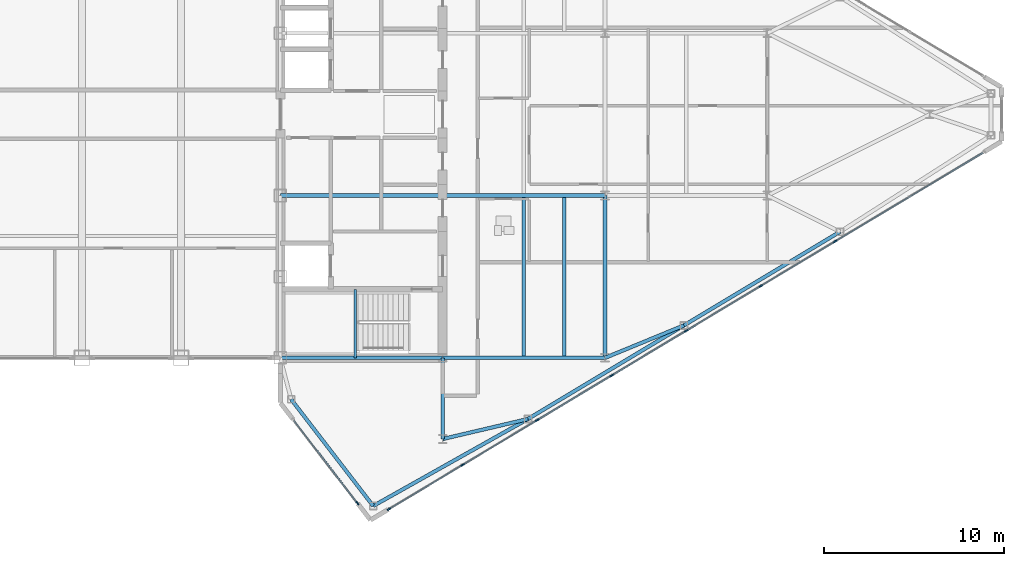
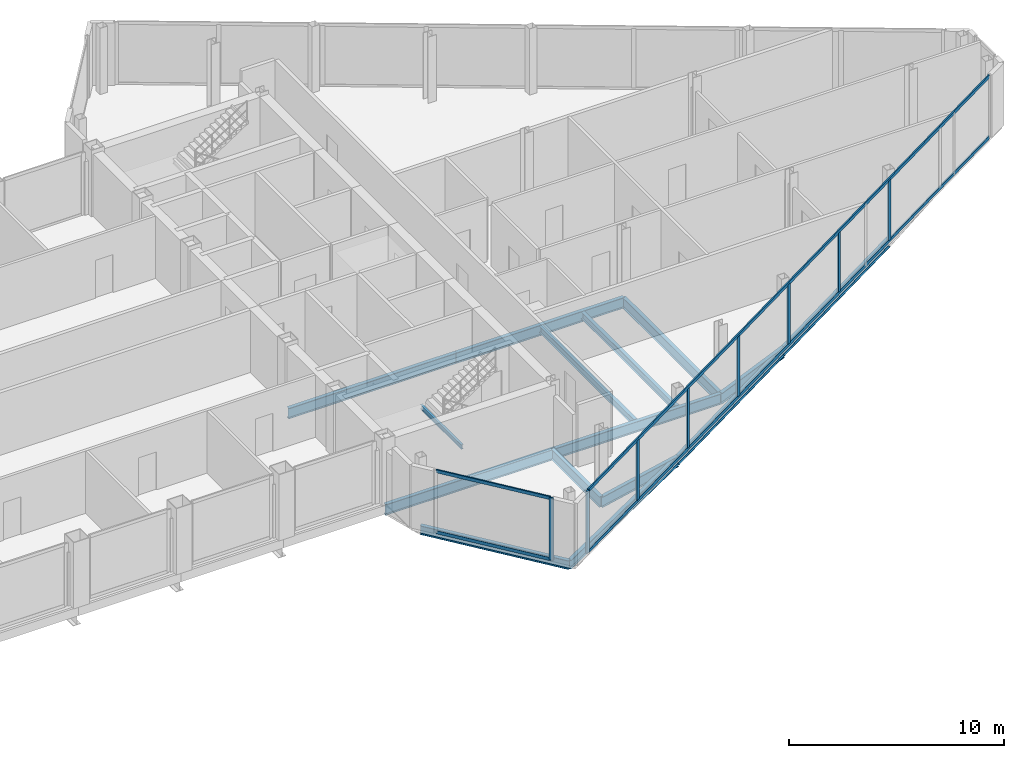
# One storey, part 14 of 29: 15 beams, 12 members, 2 elements without a shape of their own.
"""IFC4 building model written with IfcOpenShell, lengths in metres."""

import ifcopenshell
import ifcopenshell.guid

model = None  # the IFC model being written
_history = None  # IfcOwnerHistory: only IFC2X3 demands one
_inside = {}  # id of a spatial element -> (the spatial element, [elements in it])
_under = {}  # id of a project, library or spatial element -> (it, [spatial elements below it])
_declared = {}  # id of a project -> (the project, [libraries it declares])
_typed = {}  # id of a type object -> (the type object, [elements of that type])
_made_of = {}  # id of a material, layer set ... -> (it, [elements and type objects made of it])


def new_model(schema):
    """Start an empty IFC model of exactly this schema.

    Asked for "IFC4X3", IfcOpenShell would pick the latest addendum, in which some entities
    have other attributes; the version numbers below select the first issue.
    IFC2X3 requires an IfcOwnerHistory on every rooted entity: one is made here for all.
    """
    global model, _history
    if schema == "IFC4X3":
        model = ifcopenshell.file(schema_version=(4, 3, 0, 0))
    else:
        model = ifcopenshell.file(schema=schema)
    _inside.clear()
    _under.clear()
    _declared.clear()
    _typed.clear()
    _made_of.clear()
    _history = None
    if model.schema == "IFC2X3":
        org = make("IfcOrganization", Name="unknown")
        user = make(
            "IfcPersonAndOrganization",
            ThePerson=make("IfcPerson", FamilyName="unknown"),
            TheOrganization=org,
        )
        app = make(
            "IfcApplication",
            ApplicationDeveloper=org,
            Version="unknown",
            ApplicationFullName="unknown",
            ApplicationIdentifier="unknown",
        )
        _history = make(
            "IfcOwnerHistory",
            OwningUser=user,
            OwningApplication=app,
            ChangeAction="ADDED",
            CreationDate=0,
        )
    return model


def make(cls, **values):
    """One entity of the class cls with the attributes given. An attribute that is None is left unset."""
    return model.create_entity(
        cls, **{name: value for name, value in values.items() if value is not None}
    )


def rooted(cls, **values):
    """An entity with a GlobalId (a new one), such as an element, a storey or a relation."""
    return make(cls, GlobalId=ifcopenshell.guid.new(), OwnerHistory=_history, **values)


def si_unit(unit_type, name, prefix=None):
    """IfcSIUnit, for example si_unit("LENGTHUNIT", "METRE", prefix="MILLI")."""
    return make("IfcSIUnit", UnitType=unit_type, Prefix=prefix, Name=name)


def assignment(units):
    """IfcUnitAssignment: the units of a project."""
    return None if units is None else make("IfcUnitAssignment", Units=units)


def point(xyz):
    """IfcCartesianPoint."""
    return None if xyz is None else make("IfcCartesianPoint", Coordinates=xyz)


def direction(xyz):
    """IfcDirection."""
    return None if xyz is None else make("IfcDirection", DirectionRatios=xyz)


def frame(location, z_axis=None, x_axis=None):
    """IfcAxis2Placement3D, a coordinate frame: its origin and axes. An axis left out is left unset."""
    return make(
        "IfcAxis2Placement3D",
        Location=point(location),
        Axis=direction(z_axis),
        RefDirection=direction(x_axis),
    )


def frame_2d(location, x_axis=None):
    """IfcAxis2Placement2D, a coordinate frame in the plane: its origin and x axis."""
    return make(
        "IfcAxis2Placement2D", Location=point(location), RefDirection=direction(x_axis)
    )


def origin():
    """The frame at (0, 0, 0) with its axes left unset."""
    return frame((0.0, 0.0, 0.0))


def origin_2d():
    """The frame at (0, 0) in the plane with its x axis left unset."""
    return frame_2d((0.0, 0.0))


def place(relative_to, where):
    """IfcLocalPlacement: puts the frame where relative to a parent placement (None: the world)."""
    return make(
        "IfcLocalPlacement", PlacementRelTo=relative_to, RelativePlacement=where
    )


def context(
    kind, dimensions, precision=None, world=None, true_north=None, identifier=None
):
    """IfcGeometricRepresentationContext, for example the 3D "Model" context."""
    return make(
        "IfcGeometricRepresentationContext",
        ContextIdentifier=identifier,
        ContextType=kind,
        CoordinateSpaceDimension=dimensions,
        Precision=precision,
        WorldCoordinateSystem=world,
        TrueNorth=true_north,
    )


def subcontext(parent, identifier, kind, view, scale=None):
    """IfcGeometricRepresentationSubContext, for example "Body" below "Model"."""
    return make(
        "IfcGeometricRepresentationSubContext",
        ContextIdentifier=identifier,
        ContextType=kind,
        ParentContext=parent,
        TargetScale=scale,
        TargetView=view,
    )


def project(units=None, contexts=None):
    """IfcProject with its units and contexts."""
    return rooted(
        "IfcProject",
        Name="project",
        RepresentationContexts=contexts,
        UnitsInContext=assignment(units),
    )


def spatial(cls, under=None, at=None, **own):
    """A site, building, storey or space (cls), placed at a placement, below another one or the project."""
    s = rooted(cls, ObjectPlacement=at, **own)
    if under is not None:
        _under.setdefault(under.id(), (under, []))[1].append(s)
    return s


def profile(cls, at=None, kind="AREA", **sizes):
    """A parametric profile (cls). Its sizes go by their IFC names, for example OverallWidth=200.0."""
    return make(cls, ProfileType=kind, Position=at, **sizes)


def rectangle(**sizes):
    """IfcRectangleProfileDef."""
    return profile("IfcRectangleProfileDef", **sizes)


def i_section(**sizes):
    """IfcIShapeProfileDef."""
    return profile("IfcIShapeProfileDef", **sizes)


def extrude(swept, where, along, depth):
    """IfcExtrudedAreaSolid: the profile swept, set in the frame where, extruded along a direction by depth."""
    return make(
        "IfcExtrudedAreaSolid",
        SweptArea=swept,
        Position=where,
        ExtrudedDirection=direction(along),
        Depth=depth,
    )


def shape(context_of_items, identifier, shape_type, items):
    """IfcShapeRepresentation: the items that make up one representation, for example the "Body"."""
    return make(
        "IfcShapeRepresentation",
        ContextOfItems=context_of_items,
        RepresentationIdentifier=identifier,
        RepresentationType=shape_type,
        Items=items,
    )


def source(mapping_origin, context_of_items, identifier, shape_type, items):
    """IfcRepresentationMap: a shape defined once, which mapped items show again and again."""
    return make(
        "IfcRepresentationMap",
        MappingOrigin=mapping_origin,
        MappedRepresentation=shape(context_of_items, identifier, shape_type, items),
    )


def transform(
    local_origin,
    x_axis=None,
    y_axis=None,
    z_axis=None,
    scale=None,
    scale2=None,
    scale3=None,
    uniform=True,
):
    """IfcCartesianTransformationOperator3D, or its non-uniform kind. x_axis, y_axis, z_axis: its Axis1, 2, 3."""
    if uniform:
        return make(
            "IfcCartesianTransformationOperator3D",
            Axis1=direction(x_axis),
            Axis2=direction(y_axis),
            LocalOrigin=point(local_origin),
            Scale=scale,
            Axis3=direction(z_axis),
        )
    return make(
        "IfcCartesianTransformationOperator3DnonUniform",
        Axis1=direction(x_axis),
        Axis2=direction(y_axis),
        LocalOrigin=point(local_origin),
        Scale=scale,
        Axis3=direction(z_axis),
        Scale2=scale2,
        Scale3=scale3,
    )


def mapped(mapping_source, mapping_target):
    """IfcMappedItem: shows the shape of a source again, moved by a transform."""
    return make(
        "IfcMappedItem", MappingSource=mapping_source, MappingTarget=mapping_target
    )


def material(Name=None, Category=None):
    """IfcMaterial."""
    return make("IfcMaterial", Name=Name, Category=Category)


def layer(
    of_material, thickness, ventilated=None, Name=None, Category=None, Priority=None
):
    """IfcMaterialLayer: one layer of a wall or slab, of a material (None: an air gap)."""
    return make(
        "IfcMaterialLayer",
        Material=of_material,
        LayerThickness=thickness,
        IsVentilated=ventilated,
        Name=Name,
        Category=Category,
        Priority=Priority,
    )


def layer_set(layers, Name=None):
    """IfcMaterialLayerSet."""
    return make("IfcMaterialLayerSet", MaterialLayers=layers, LayerSetName=Name)


def material_profile(
    of_material, cross_section, Name=None, Category=None, Priority=None
):
    """IfcMaterialProfile: a cross section and its material."""
    return make(
        "IfcMaterialProfile",
        Name=Name,
        Material=of_material,
        Profile=cross_section,
        Priority=Priority,
        Category=Category,
    )


def profile_set(profiles, Name=None, composite=None):
    """IfcMaterialProfileSet."""
    return make(
        "IfcMaterialProfileSet",
        Name=Name,
        MaterialProfiles=profiles,
        CompositeProfile=composite,
    )


def made_of(thing, what):
    """Note that an element or type object is made of a material, layer set ...; save() writes the relation."""
    if what is not None:
        _made_of.setdefault(what.id(), (what, []))[1].append(thing)
    return thing


def type_object(cls, material=None, **own):
    """A type object (cls), such as IfcWallType, which elements share."""
    return made_of(rooted(cls, **own), material)


def type_shapes(of_type, sources):
    """Give a type object the sources (RepresentationMaps) that its elements show as mapped items."""
    of_type.RepresentationMaps = sources


def element(
    cls,
    number,
    at=None,
    inside=None,
    cuts=None,
    type_object=None,
    material=None,
    context=None,
    identifier="Body",
    shape_type=None,
    held_by="IfcProductDefinitionShape",
    body=None,
    shapes=None,
    **own,
):
    """One element of the class cls, such as IfcWall. Its Tag is "e" and its number.

    at: its placement. inside: the storey or other place that contains it. cuts: it is an
    opening in that element (IfcRelVoidsElement). A single representation is given by context,
    identifier, shape_type and body (its items); several are given by shapes. held_by: the class
    of the entity that holds the representations. save() writes the other relations.
    """
    e = rooted(cls, Tag="e%d" % number, ObjectPlacement=at, **own)
    if body is not None:
        shapes = [shape(context, identifier, shape_type, body)]
    if shapes is not None:
        e.Representation = make(held_by, Representations=shapes)
    if inside is not None:
        _inside.setdefault(inside.id(), (inside, []))[1].append(e)
    if cuts is not None:
        rooted(
            "IfcRelVoidsElement", RelatingBuildingElement=cuts, RelatedOpeningElement=e
        )
    if type_object is not None:
        _typed.setdefault(type_object.id(), (type_object, []))[1].append(e)
    return made_of(e, material)


def aggregate(whole, parts):
    """IfcRelAggregates: a whole, such as a stair, and the parts it consists of."""
    return rooted("IfcRelAggregates", RelatingObject=whole, RelatedObjects=parts)


def save(model, path):
    """Write the relations noted so far, then the file.

    IfcRelAggregates (storeys below a building ...), IfcRelContainedInSpatialStructure (elements
    in a storey), IfcRelDefinesByType, IfcRelAssociatesMaterial and IfcRelDeclares: one each for
    every whole, place, type object, material and project.
    """
    for whole, parts in _under.values():
        aggregate(whole, parts)
    for where, things in _inside.values():
        rooted(
            "IfcRelContainedInSpatialStructure",
            RelatedElements=things,
            RelatingStructure=where,
        )
    for kind, things in _typed.values():
        rooted("IfcRelDefinesByType", RelatedObjects=things, RelatingType=kind)
    for what, things in _made_of.values():
        rooted("IfcRelAssociatesMaterial", RelatedObjects=things, RelatingMaterial=what)
    for by, libraries in _declared.values():
        rooted("IfcRelDeclares", RelatingContext=by, RelatedDefinitions=libraries)
    model.write(path)


model = new_model("IFC4")

# Units and contexts
model_context = context("Model", 3, precision=1e-05, world=origin(), true_north=direction((0.0, 1.0)))
body_context = subcontext(model_context, "Body", "Model", "MODEL_VIEW")
ifc_project = project(units=[si_unit("LENGTHUNIT", "METRE"), si_unit("AREAUNIT", "SQUARE_METRE"), si_unit("VOLUMEUNIT", "CUBIC_METRE"), si_unit("PLANEANGLEUNIT", "RADIAN"), si_unit("MASSUNIT", "GRAM", prefix="KILO")], contexts=[model_context])

# Site, building, storey
site_placement = place(None, origin())
site = spatial("IfcSite", under=ifc_project, at=site_placement, CompositionType="ELEMENT")
building_placement = place(site_placement, origin())
building = spatial("IfcBuilding", under=site, at=building_placement, Name="Seokmaru Belvedere", CompositionType="ELEMENT")
storey_placement = place(building_placement, frame((0.0, 0.0, 254.39990234375)))
storey = spatial("IfcBuildingStorey", under=building, at=storey_placement, Name="L67", CompositionType="ELEMENT", Elevation=254.39990234375)

# Beams
ifc_material_1 = material(Name="Steel SM355 (355 MPa)", Category="steel")
ifc_material_profile_1 = material_profile(ifc_material_1, i_section(OverallWidth=0.199951171875, OverallDepth=0.60009765625, WebThickness=0.010986328125, FlangeThickness=0.01708984375, at=origin_2d()), Name="H-600x200x11x17")
ifc_profile_set_1 = profile_set([ifc_material_profile_1], Name="Steel SM355 (355 MPa)")
beam_type_1 = type_object("IfcBeamType", Name="Primary Floor Girder H-600", PredefinedType="BEAM", material=ifc_profile_set_1)
shared_shape_1 = source(origin(), body_context, "Body", "SweptSolid", [
    extrude(i_section(OverallWidth=0.199951171875, OverallDepth=0.60009765625, WebThickness=0.010986328125, FlangeThickness=0.01708984375, at=origin_2d()), origin(), (0.0, 0.0, 1.0), 9.0),
])
for number, where, z_axis, x_axis, name in (
    (1, (45.5, -13.5, -0.52001953125), (0.0, 1.0, 0.0), (-1.0, 0.0, 0.0), "L67 E Interior Grid Girder 1"),
    (2, (27.5, -13.5, -0.52001953125), (1.0, 0.0, 0.0), (0.0, 1.0, 0.0), "L67 E Core Tie Girder 1"),
    (3, (36.5, -13.5, -0.52001953125), (1.0, 0.0, 0.0), (0.0, 1.0, 0.0), "L67 E Wing Primary Girder 1"),
    (4, (27.5, -4.5, -0.52001953125), (1.0, 0.0, 0.0), (0.0, 1.0, 0.0), "L67 E Core Tie Girder 2"),
    (5, (36.5, -4.5, -0.52001953125), (1.0, 0.0, 0.0), (0.0, 1.0, 0.0), "L67 E Wing Primary Girder 2"),
):
    element("IfcBeam", number, at=place(storey_placement, frame(where, z_axis=z_axis, x_axis=x_axis)), inside=storey, type_object=beam_type_1, Name=name, PredefinedType="BEAM", context=body_context, shape_type="MappedRepresentation", body=[
        mapped(shared_shape_1, transform((0.0, 0.0, 0.0), scale=1.0)),
    ])
ifc_material_profile_2 = material_profile(ifc_material_1, i_section(OverallWidth=0.18505859375, OverallDepth=0.389892578125, WebThickness=0.008056640625, FlangeThickness=0.011962890625, at=origin_2d()), Name="H-390x185x8x12")
ifc_profile_set_2 = profile_set([ifc_material_profile_2], Name="Steel SM355 (355 MPa)")
beam_type_2 = type_object("IfcBeamType", Name="Secondary Floor Joist H-350", PredefinedType="JOIST", material=ifc_profile_set_2)
shared_shape_2 = source(origin(), body_context, "Body", "SweptSolid", [
    extrude(i_section(OverallWidth=0.18505859375, OverallDepth=0.389892578125, WebThickness=0.008056640625, FlangeThickness=0.011962890625, at=origin_2d()), origin(), (0.0, 0.0, 1.0), 8.7900390625),
])
type_shapes(beam_type_2, [shared_shape_2])
for number, where, z_axis, x_axis, name in (
    (6, (43.25, -13.39501953125, -0.414794921875), (0.0, 1.0, 0.0), (-1.0, 0.0, 0.0), "L67 E Wing Inner Secondary Joist 1"),
    (7, (41.0, -13.39501953125, -0.414794921875), (0.0, 1.0, 0.0), (-1.0, 0.0, 0.0), "L67 E Secondary Floor Joist 1"),
):
    element("IfcBeam", number, at=place(storey_placement, frame(where, z_axis=z_axis, x_axis=x_axis)), inside=storey, type_object=beam_type_2, Name=name, PredefinedType="JOIST", context=body_context, shape_type="MappedRepresentation", body=[
        mapped(shared_shape_2, transform((0.0, 0.0, 0.0), scale=1.0)),
    ])
shared_shape_3 = source(origin(), body_context, "Body", "SweptSolid", [
    extrude(i_section(OverallWidth=0.199951171875, OverallDepth=0.60009765625, WebThickness=0.010986328125, FlangeThickness=0.01708984375, at=origin_2d()), origin(), (0.0, 0.0, 1.0), 4.5),
])
beam_1_placement = place(storey_placement, frame((36.5, -18.0, -0.52001953125), z_axis=(0.0, 1.0, 0.0), x_axis=(-1.0, 0.0, 0.0)))
element("IfcBeam", 8, at=beam_1_placement, inside=storey, type_object=beam_type_1, Name="L67 E Core Shoulder Girder S", PredefinedType="BEAM", context=body_context, shape_type="MappedRepresentation", body=[
    mapped(shared_shape_3, transform((0.0, 0.0, 0.0), scale=1.0)),
])
ifc_material_profile_3 = material_profile(ifc_material_1, i_section(OverallWidth=0.199951171875, OverallDepth=0.5, WebThickness=0.010009765625, FlangeThickness=0.01611328125, at=origin_2d()), Name="H-500x200x10x16")
ifc_profile_set_3 = profile_set([ifc_material_profile_3], Name="Steel SM355 (355 MPa)")
beam_type_3 = type_object("IfcBeamType", Name="Perimeter Spandrel Beam H-500", PredefinedType="SPANDREL", material=ifc_profile_set_3)
shared_shape_4 = source(origin(), body_context, "Body", "SweptSolid", [
    extrude(i_section(OverallWidth=0.199951171875, OverallDepth=0.5, WebThickness=0.010009765625, FlangeThickness=0.01611328125, at=origin_2d()), origin(), (0.0, 0.0, 1.0), 9.842041015625),
])
beam_2_placement = place(storey_placement, frame((32.649658203125, -21.71044921875, -0.469970703125), z_axis=(0.871782151818, 0.489893743349, 0.0), x_axis=(-0.489893743349, 0.871782151818, 0.0)))
element("IfcBeam", 9, at=beam_2_placement, inside=storey, type_object=beam_type_3, Name="L67 E Faceted Flank Spandrel S-1", PredefinedType="SPANDREL", context=body_context, shape_type="MappedRepresentation", body=[
    mapped(shared_shape_4, transform((0.0, 0.0, 0.0), scale=1.0)),
])
shared_shape_5 = source(origin(), body_context, "Body", "SweptSolid", [
    extrude(i_section(OverallWidth=0.199951171875, OverallDepth=0.5, WebThickness=0.010009765625, FlangeThickness=0.01611328125, at=origin_2d()), origin(), (0.0, 0.0, 1.0), 10.087646484375),
])
for number, where, z_axis, x_axis, name in (
    (10, (41.229736328125, -16.888916015625, -0.469970703125), (0.857499332045, 0.514485078056, 0.0), (-0.514485078056, 0.857499332045, 0.0), "L67 E Faceted Flank Spandrel S-2"),
    (11, (49.8798828125, -11.698974609375, -0.469970703125), (0.857488654804, 0.514502873542, 0.0), (-0.514502873542, 0.857488654804, 0.0), "L67 E Faceted Flank Spandrel S-3"),
):
    element("IfcBeam", number, at=place(storey_placement, frame(where, z_axis=z_axis, x_axis=x_axis)), inside=storey, type_object=beam_type_3, Name=name, PredefinedType="SPANDREL", context=body_context, shape_type="MappedRepresentation", body=[
        mapped(shared_shape_5, transform((0.0, 0.0, 0.0), scale=1.0)),
    ])
shared_shape_6 = source(origin(), body_context, "Body", "SweptSolid", [
    extrude(i_section(OverallWidth=0.199951171875, OverallDepth=0.5, WebThickness=0.010009765625, FlangeThickness=0.01611328125, at=origin_2d()), origin(), (0.0, 0.0, 1.0), 7.4619140625),
])
type_shapes(beam_type_3, [shared_shape_4, shared_shape_5, shared_shape_6])
beam_3_placement = place(storey_placement, frame((32.649658203125, -21.71044921875, -0.469970703125), z_axis=(-0.609702854945, 0.792630070507, 0.0), x_axis=(-0.792630070507, -0.609702854945, 0.0)))
element("IfcBeam", 12, at=beam_3_placement, inside=storey, type_object=beam_type_3, Name="L67 E Shoulder Chamfer Spandrel S", PredefinedType="SPANDREL", context=body_context, shape_type="MappedRepresentation", body=[
    mapped(shared_shape_6, transform((0.0, 0.0, 0.0), scale=1.0)),
])
shared_shape_7 = source(origin(), body_context, "Body", "SweptSolid", [
    extrude(i_section(OverallWidth=0.199951171875, OverallDepth=0.60009765625, WebThickness=0.010986328125, FlangeThickness=0.01708984375, at=origin_2d()), origin(), (0.0, 0.0, 1.0), 4.8583984375),
])
beam_4_placement = place(storey_placement, frame((41.229736328125, -16.888916015625, -0.52001953125), z_axis=(-0.97349948295, -0.228689214211, 0.0), x_axis=(0.228689214211, -0.97349948295, 0.0)))
element("IfcBeam", 13, at=beam_4_placement, inside=storey, type_object=beam_type_1, Name="L67 E Flank Radial Floor Girder S-1", PredefinedType="BEAM", context=body_context, shape_type="MappedRepresentation", body=[
    mapped(shared_shape_7, transform((0.0, 0.0, 0.0), scale=1.0)),
])
shared_shape_8 = source(origin(), body_context, "Body", "SweptSolid", [
    extrude(i_section(OverallWidth=0.199951171875, OverallDepth=0.60009765625, WebThickness=0.010986328125, FlangeThickness=0.01708984375, at=origin_2d()), origin(), (0.0, 0.0, 1.0), 4.73583984375),
])
type_shapes(beam_type_1, [shared_shape_1, shared_shape_3, shared_shape_7, shared_shape_8])
beam_5_placement = place(storey_placement, frame((49.8798828125, -11.698974609375, -0.52001953125), z_axis=(-0.924860562953, -0.380306375301, 0.0), x_axis=(0.380306375301, -0.924860562953, 0.0)))
element("IfcBeam", 14, at=beam_5_placement, inside=storey, type_object=beam_type_1, Name="L67 E Flank Radial Floor Girder S-2", PredefinedType="BEAM", context=body_context, shape_type="MappedRepresentation", body=[
    mapped(shared_shape_8, transform((0.0, 0.0, 0.0), scale=1.0)),
])

# Curtain wall, members
ifc_material_2 = material(Name="Bronze Triple Insulating Glass", Category="glass")
ifc_layer = layer(ifc_material_2, 0.219970703125)
ifc_layer_set = layer_set([ifc_layer], Name="Bronze Triple Insulating Glass")
curtain_wall_type = type_object("IfcCurtainWallType", Name="Sky-Gate Bridge Panorama Curtain Wall System CW-6", PredefinedType="NOTDEFINED", material=ifc_layer_set)
curtain_wall_1_placement = place(storey_placement, origin())
curtain_wall_1 = element("IfcCurtainWall", 15, at=curtain_wall_1_placement, inside=storey, type_object=curtain_wall_type, Name="L67 Curtain Wall EF6", PredefinedType="NOTDEFINED")
ifc_material_3 = material(Name="Anodised Bronze Aluminium", Category="aluminium")
ifc_material_profile_4 = material_profile(ifc_material_3, rectangle(XDim=0.074951171875, YDim=0.179931640625, at=origin_2d()), Name="CW-T-75x180")
ifc_profile_set_4 = profile_set([ifc_material_profile_4], Name="Anodised Bronze Aluminium")
member_type_1 = type_object("IfcMemberType", Name="Bronze Unitised Transom 75x180", PredefinedType="USERDEFINED", material=ifc_profile_set_4)
shared_shape_9 = source(origin(), body_context, "Body", "SweptSolid", [
    extrude(rectangle(XDim=0.074951171875, YDim=0.179931640625, at=origin_2d()), origin(), (0.0, 0.0, 1.0), 5.74072265625),
])
member_1_placement = place(storey_placement, frame((28.25, -16.974853515625, 0.03759765625), z_axis=(0.609686097287, -0.792642960465, 0.0), x_axis=(0.792642960465, 0.609686097287, 0.0)))
member_1 = element("IfcMember", 16, at=member_1_placement, type_object=member_type_1, Name="CW:L67:EF6 Continuous Transom 1", ObjectType="TRANSOM", PredefinedType="USERDEFINED", context=body_context, shape_type="MappedRepresentation", body=[
    mapped(shared_shape_9, transform((0.0, 0.0, 0.0), scale=1.0)),
])
member_2_placement = place(storey_placement, frame((28.25, -16.974853515625, 3.49267578125), z_axis=(0.609686097287, -0.792642960465, 0.0), x_axis=(0.792642960465, 0.609686097287, 0.0)))
member_2 = element("IfcMember", 17, at=member_2_placement, type_object=member_type_1, Name="CW:L67:EF6 Continuous Transom 2", ObjectType="TRANSOM", PredefinedType="USERDEFINED", context=body_context, shape_type="MappedRepresentation", body=[
    mapped(shared_shape_9, transform((0.0, 0.0, 0.0), scale=1.0)),
])

curtain_wall_2_placement = place(storey_placement, origin())
curtain_wall_2 = element("IfcCurtainWall", 18, at=curtain_wall_2_placement, inside=storey, type_object=curtain_wall_type, Name="L67 Curtain Wall EF1", PredefinedType="NOTDEFINED")
shared_shape_10 = source(origin(), body_context, "Body", "SweptSolid", [
    extrude(rectangle(XDim=0.074951171875, YDim=0.179931640625, at=origin_2d()), origin(), (0.0, 0.0, 1.0), 38.356689453125),
])
type_shapes(member_type_1, [shared_shape_9, shared_shape_10])
member_3_placement = place(storey_placement, frame((33.5546875, -21.8671875, 0.03759765625), z_axis=(0.857492925713, 0.514495755428, 0.0), x_axis=(-0.514495755428, 0.857492925713, 0.0)))
member_3 = element("IfcMember", 19, at=member_3_placement, type_object=member_type_1, Name="CW:L67:EF1 Continuous Transom 1", ObjectType="TRANSOM", PredefinedType="USERDEFINED", context=body_context, shape_type="MappedRepresentation", body=[
    mapped(shared_shape_10, transform((0.0, 0.0, 0.0), scale=1.0)),
])
member_4_placement = place(storey_placement, frame((33.5546875, -21.8671875, 3.49267578125), z_axis=(0.857492925713, 0.514495755428, 0.0), x_axis=(-0.514495755428, 0.857492925713, 0.0)))
member_4 = element("IfcMember", 20, at=member_4_placement, type_object=member_type_1, Name="CW:L67:EF1 Continuous Transom 2", ObjectType="TRANSOM", PredefinedType="USERDEFINED", context=body_context, shape_type="MappedRepresentation", body=[
    mapped(shared_shape_10, transform((0.0, 0.0, 0.0), scale=1.0)),
])
ifc_material_profile_5 = material_profile(ifc_material_3, rectangle(XDim=0.080078125, YDim=0.219970703125, at=origin_2d()), Name="CW-M-80x220")
ifc_profile_set_5 = profile_set([ifc_material_profile_5], Name="Anodised Bronze Aluminium")
member_type_2 = type_object("IfcMemberType", Name="Bronze Unitised Mullion 80x220", PredefinedType="MULLION", material=ifc_profile_set_5)
shared_shape_11 = source(origin(), body_context, "Body", "SweptSolid", [
    extrude(rectangle(XDim=0.080078125, YDim=0.219970703125, at=origin_2d()), origin(), (0.0, 0.0, 1.0), 3.530029296875),
])
member_5_placement = place(storey_placement, frame((33.5205078125, -21.8876953125, 0.0), z_axis=(0.0, 0.0, 1.0), x_axis=(-0.514494909364, 0.85749343335, 0.0)))
member_5 = element("IfcMember", 21, at=member_5_placement, type_object=member_type_2, Name="CW:L67:EF1 Mullion 1", PredefinedType="MULLION", context=body_context, shape_type="MappedRepresentation", body=[
    mapped(shared_shape_11, transform((0.0, 0.0, 0.0), scale=1.0)),
])

# Member
member_6_placement = place(storey_placement, frame((31.7744140625, -21.556884765625, 0.0), z_axis=(0.0, 0.0, 1.0), x_axis=(0.792631353244, 0.609701187349, 0.0)))
member_6 = element("IfcMember", 22, at=member_6_placement, type_object=member_type_2, Name="CW:L67:EF6 Mullion 2", PredefinedType="MULLION", context=body_context, shape_type="MappedRepresentation", body=[
    mapped(shared_shape_11, transform((0.0, 0.0, 0.0), scale=1.0)),
])

aggregate(curtain_wall_1, [member_6, member_1, member_2])

shared_shape_12 = source(origin(), body_context, "Body", "SweptSolid", [
    extrude(rectangle(XDim=0.080078125, YDim=0.219970703125, at=origin_2d()), origin(), (0.0, 0.0, 1.0), 3.3798828125),
])
type_shapes(member_type_2, [shared_shape_11, shared_shape_12])
member_7_placement = place(storey_placement, frame((37.614501953125, -19.43115234375, 0.0751953125), z_axis=(0.0, 0.0, 1.0), x_axis=(-0.514494909364, 0.85749343335, 0.0)))
member_7 = element("IfcMember", 23, at=member_7_placement, type_object=member_type_2, Name="CW:L67:EF1 Mullion 2", PredefinedType="MULLION", context=body_context, shape_type="MappedRepresentation", body=[
    mapped(shared_shape_12, transform((0.0, 0.0, 0.0), scale=1.0)),
])

member_8_placement = place(storey_placement, frame((41.7431640625, -16.9541015625, 0.0751953125), z_axis=(0.0, 0.0, 1.0), x_axis=(-0.514494909364, 0.85749343335, 0.0)))
member_8 = element("IfcMember", 24, at=member_8_placement, type_object=member_type_2, Name="CW:L67:EF1 Mullion 3", PredefinedType="MULLION", context=body_context, shape_type="MappedRepresentation", body=[
    mapped(shared_shape_12, transform((0.0, 0.0, 0.0), scale=1.0)),
])

member_9_placement = place(storey_placement, frame((45.87158203125, -14.47705078125, 0.0751953125), z_axis=(0.0, 0.0, 1.0), x_axis=(-0.514494909364, 0.85749343335, 0.0)))
member_9 = element("IfcMember", 25, at=member_9_placement, type_object=member_type_2, Name="CW:L67:EF1 Mullion 4", PredefinedType="MULLION", context=body_context, shape_type="MappedRepresentation", body=[
    mapped(shared_shape_12, transform((0.0, 0.0, 0.0), scale=1.0)),
])

member_10_placement = place(storey_placement, frame((50.0, -12.0, 0.0751953125), z_axis=(0.0, 0.0, 1.0), x_axis=(-0.514494909364, 0.85749343335, 0.0)))
member_10 = element("IfcMember", 26, at=member_10_placement, type_object=member_type_2, Name="CW:L67:EF1 Mullion 5", PredefinedType="MULLION", context=body_context, shape_type="MappedRepresentation", body=[
    mapped(shared_shape_12, transform((0.0, 0.0, 0.0), scale=1.0)),
])

member_11_placement = place(storey_placement, frame((54.12841796875, -9.52294921875, 0.0751953125), z_axis=(0.0, 0.0, 1.0), x_axis=(-0.514494909364, 0.85749343335, 0.0)))
member_11 = element("IfcMember", 27, at=member_11_placement, type_object=member_type_2, Name="CW:L67:EF1 Mullion 6", PredefinedType="MULLION", context=body_context, shape_type="MappedRepresentation", body=[
    mapped(shared_shape_12, transform((0.0, 0.0, 0.0), scale=1.0)),
])

member_12_placement = place(storey_placement, frame((58.257080078125, -7.0458984375, 0.0751953125), z_axis=(0.0, 0.0, 1.0), x_axis=(-0.514494909364, 0.85749343335, 0.0)))
member_12 = element("IfcMember", 28, at=member_12_placement, type_object=member_type_2, Name="CW:L67:EF1 Mullion 7", PredefinedType="MULLION", context=body_context, shape_type="MappedRepresentation", body=[
    mapped(shared_shape_12, transform((0.0, 0.0, 0.0), scale=1.0)),
])

aggregate(curtain_wall_2, [member_5, member_7, member_8, member_9, member_10, member_11, member_12, member_3, member_4])

# Beam
ifc_material_profile_6 = material_profile(ifc_material_1, i_section(OverallWidth=0.125, OverallDepth=0.25, WebThickness=0.006103515625, FlangeThickness=0.009033203125, at=origin_2d()), Name="H-250x125x6x9")
ifc_profile_set_6 = profile_set([ifc_material_profile_6], Name="Steel SM355 (355 MPa)")
beam_type_4 = type_object("IfcBeamType", Name="Stair Mid-Landing Support Beam H-250", PredefinedType="JOIST", material=ifc_profile_set_6)
shared_shape_13 = source(origin(), body_context, "Body", "SweptSolid", [
    extrude(i_section(OverallWidth=0.125, OverallDepth=0.25, WebThickness=0.006103515625, FlangeThickness=0.009033203125, at=origin_2d()), origin(), (0.0, 0.0, 1.0), 3.800048828125),
])
type_shapes(beam_type_4, [shared_shape_13])
beam_6_placement = place(storey_placement, frame((31.64990234375, -13.5, 1.550048828125), z_axis=(0.0, 1.0, 0.0), x_axis=(-1.0, 0.0, 0.0)))
element("IfcBeam", 29, at=beam_6_placement, inside=storey, type_object=beam_type_4, Name="L67 Stair ST-E1 Mid-Landing Support Beam 1", PredefinedType="JOIST", context=body_context, shape_type="MappedRepresentation", body=[
    mapped(shared_shape_13, transform((0.0, 0.0, 0.0), scale=1.0)),
])

save(model, "model.ifc")
